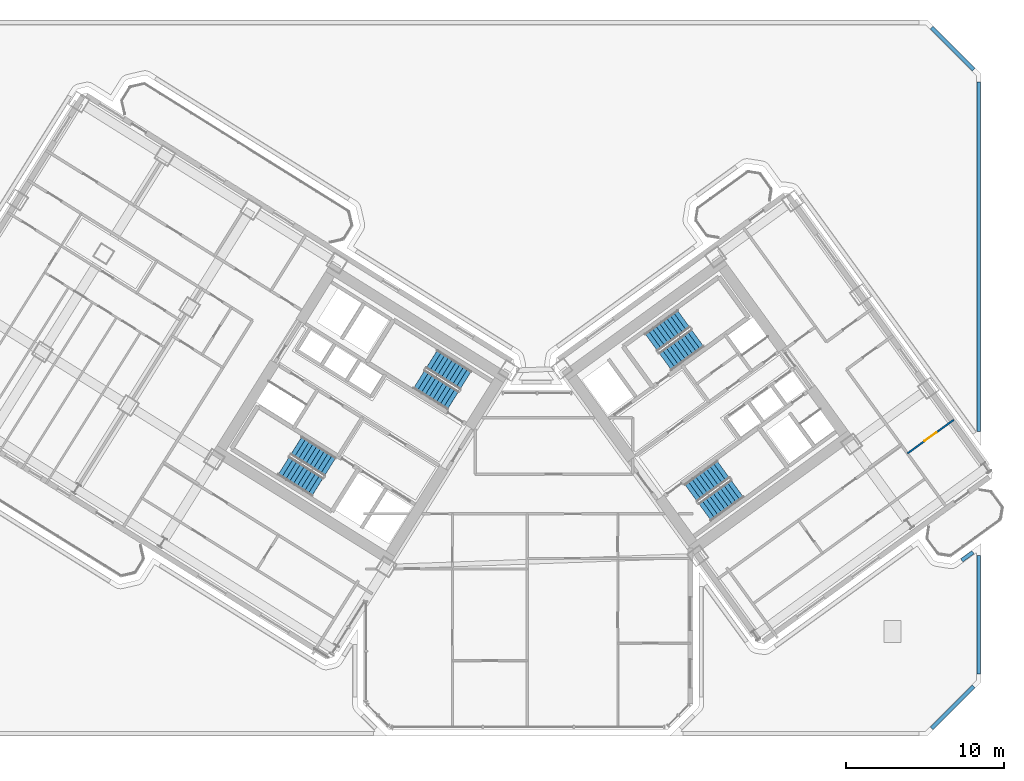
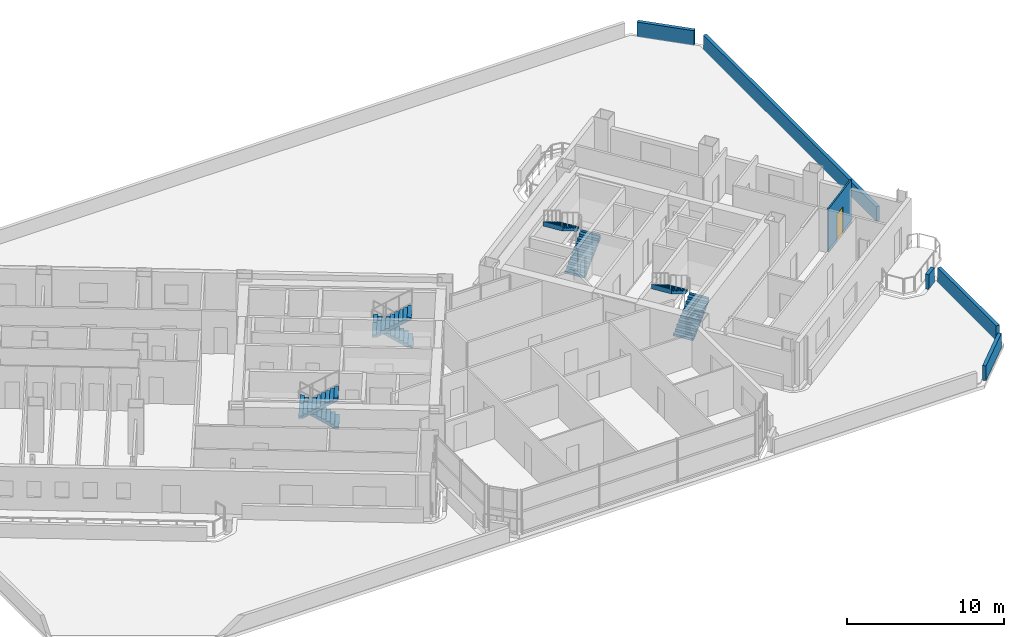
# One storey, part 21 of 28: 8 stair flights, 6 walls, 1 door, 1 opening, 4 elements without a shape of their own.
"""IFC4 building model written with IfcOpenShell, lengths in metres."""

from ifc_helpers import new_model, si_unit, direction, frame, frame_2d, origin, place, context, subcontext, project, spatial, polyline, rectangle, outline, extrude, source, transform, mapped, material, layer, layer_set, type_object, element, fill, aggregate, save


model = new_model("IFC4")

# Units and contexts
model_context = context("Model", 3, precision=1e-05, world=origin(), true_north=direction((0.0, 1.0)))
body_context = subcontext(model_context, "Body", "Model", "MODEL_VIEW")
ifc_project = project(units=[si_unit("LENGTHUNIT", "METRE"), si_unit("AREAUNIT", "SQUARE_METRE"), si_unit("VOLUMEUNIT", "CUBIC_METRE"), si_unit("PLANEANGLEUNIT", "RADIAN"), si_unit("MASSUNIT", "GRAM", prefix="KILO")], contexts=[model_context])

# Site, building, storey
site_placement = place(None, origin())
site = spatial("IfcSite", under=ifc_project, at=site_placement, CompositionType="ELEMENT")
building_placement = place(site_placement, origin())
building = spatial("IfcBuilding", under=site, at=building_placement, Name="Tlacorven Tower", CompositionType="ELEMENT")
storey_placement = place(building_placement, frame((0.0, 0.0, 24.0)))
storey = spatial("IfcBuildingStorey", under=building, at=storey_placement, Name="L05", CompositionType="ELEMENT", Elevation=24.0)

# Wall, opening, door
ifc_material_1 = material(Name="Gypsum plasterboard partition", Category="gypsum")
ifc_layer_1 = layer(ifc_material_1, 0.110107421875)
ifc_layer_set_1 = layer_set([ifc_layer_1], Name="Gypsum plasterboard partition")
wall_type_1 = type_object("IfcWallType", Name="WL-INT-110", PredefinedType="PARTITIONING", material=ifc_layer_set_1)
wall_1_placement = place(storey_placement, frame((65.9443359375, 19.237548828125, 0.0), z_axis=(0.0, 0.0, 1.0), x_axis=(0.809013833588, 0.587789602718, 0.0)))
wall_1 = element("IfcWall", 1, at=wall_1_placement, inside=storey, type_object=wall_type_1, Name="L05 partition 97", PredefinedType="PARTITIONING", context=body_context, shape_type="SweptSolid", body=[
    extrude(rectangle(XDim=3.60986328125, YDim=0.110107421875, at=frame_2d((1.804931640625, 0.0))), origin(), (0.0, 0.0, 1.0), 3.340087890625),
])
opening_placement = place(wall_1_placement, frame((1.344970703125, 0.0, 0.0)))
opening = element("IfcOpeningElement", 2, at=opening_placement, cuts=wall_1, Name="Opening D12", PredefinedType="OPENING", context=body_context, shape_type="SweptSolid", body=[
    extrude(rectangle(XDim=0.919921875, YDim=2.080078125, at=frame_2d((0.4599609375, 1.0400390625))), frame((0.0, 0.06494140625, 0.0), z_axis=(0.0, -1.0, 0.0), x_axis=(1.0, 0.0, 0.0)), (0.0, 0.0, 1.0), 0.130126953125),
])
ifc_material_2 = material(Name="Powder-coated aluminium and timber door", Category="wood")
door_type = type_object("IfcDoorType", Name="DR-INT-ROOM-0920", OperationType="NOTDEFINED", PredefinedType="DOOR", material=ifc_material_2)
shared_shape_1 = source(origin(), body_context, "Body", "SweptSolid", [
    extrude(rectangle(XDim=0.919921875, YDim=2.080078125, at=frame_2d((0.4599609375, 1.0400390625))), frame((0.0, 0.02490234375, 0.0), z_axis=(0.0, -1.0, 0.0), x_axis=(1.0, 0.0, 0.0)), (0.0, 0.0, 1.0), 0.050048828125),
])
door_placement = place(opening_placement, origin())
door = element("IfcDoor", 3, at=door_placement, inside=storey, type_object=door_type, Name="L05 door 058", OperationType="SINGLE_SWING_LEFT", OverallHeight=2.080078125, OverallWidth=0.919921875, PredefinedType="DOOR", context=body_context, shape_type="MappedRepresentation", body=[
    mapped(shared_shape_1, transform((0.0, 0.0, 0.0), scale=1.0)),
])
fill(opening, door)

# Walls
ifc_material_3 = material(Name="Precast concrete C45/55", Category="concrete")
ifc_layer_2 = layer(ifc_material_3, 0.239990234375)
ifc_layer_set_2 = layer_set([ifc_layer_2], Name="Precast concrete C45/55")
wall_type_2 = type_object("IfcWallType", Name="WL-PAR-240", PredefinedType="PARAPET", material=ifc_layer_set_2)
wall_2_placement = place(storey_placement, frame((67.463134765625, 46.124755859375, 0.0), z_axis=(0.0, 0.0, 1.0), x_axis=(0.707106781187, -0.707106781187, 0.0)))
element("IfcWall", 4, at=wall_2_placement, inside=storey, type_object=wall_type_2, Name="L05 Podium Setback Parapet 1 6", PredefinedType="PARAPET", context=body_context, shape_type="SweptSolid", body=[
    extrude(rectangle(XDim=3.76416015625, YDim=0.239990234375, at=frame_2d((1.882080078125, 0.0))), origin(), (0.0, 0.0, 1.0), 1.14990234375),
])
wall_3_placement = place(storey_placement, frame((70.449951171875, 42.677978515625, 0.0), z_axis=(0.0, 0.0, 1.0), x_axis=(0.0, -1.0, 0.0)))
element("IfcWall", 5, at=wall_3_placement, inside=storey, type_object=wall_type_2, Name="L05 Podium Setback Parapet 1 7", PredefinedType="PARAPET", context=body_context, shape_type="SweptSolid", body=[
    extrude(rectangle(XDim=22.070556640625, YDim=0.239990234375, at=frame_2d((11.03515625, 0.0))), origin(), (0.0, 0.0, 1.0), 1.14990234375),
])
wall_4_placement = place(storey_placement, frame((69.3740234375, 12.486083984375, 0.0), z_axis=(0.0, 0.0, 1.0), x_axis=(0.808966568282, 0.587854651596, 0.0)))
element("IfcWall", 6, at=wall_4_placement, inside=storey, type_object=wall_type_2, Name="L05 Podium Setback Parapet 1 24", PredefinedType="PARAPET", context=body_context, shape_type="SweptSolid", body=[
    extrude(rectangle(XDim=0.8701171875, YDim=0.239990234375, at=frame_2d((0.43505859375, 0.0))), origin(), (0.0, 0.0, 1.0), 1.14990234375),
])
wall_5_placement = place(storey_placement, frame((70.449951171875, 12.807861328125, 0.0), z_axis=(0.0, 0.0, 1.0), x_axis=(0.0, -1.0, 0.0)))
element("IfcWall", 7, at=wall_5_placement, inside=storey, type_object=wall_type_2, Name="L05 Podium Setback Parapet 1 25", PredefinedType="PARAPET", context=body_context, shape_type="SweptSolid", body=[
    extrude(rectangle(XDim=7.48583984375, YDim=0.239990234375, at=frame_2d((3.742919921875, 0.0))), origin(), (0.0, 0.0, 1.0), 1.14990234375),
])
wall_6_placement = place(storey_placement, frame((70.124755859375, 4.536865234375, 0.0), z_axis=(0.0, 0.0, 1.0), x_axis=(-0.707106781187, -0.707106781187, 0.0)))
element("IfcWall", 8, at=wall_6_placement, inside=storey, type_object=wall_type_2, Name="L05 Podium Setback Parapet 1 26", PredefinedType="PARAPET", context=body_context, shape_type="SweptSolid", body=[
    extrude(rectangle(XDim=3.76416015625, YDim=0.239990234375, at=frame_2d((1.882080078125, 0.0))), origin(), (0.0, 0.0, 1.0), 1.14990234375),
])

# Stair, stair flights
ifc_material_4 = material(Name="Concrete C40/50", Category="concrete")
stair_type = type_object("IfcStairType", Name="ST-CORE-DLG", PredefinedType="HALF_TURN_STAIR", material=ifc_material_4)
stair_1_placement = place(storey_placement, origin())
stair_1 = element("IfcStair", 9, at=stair_1_placement, inside=storey, type_object=stair_type, Name="L05 Protected Exit Stair West 1", PredefinedType="HALF_TURN_STAIR")
stair_flight_type = type_object("IfcStairFlightType", Name="SFL-RC-1380", PredefinedType="STRAIGHT", material=ifc_material_4)
shared_shape_2 = source(origin(), body_context, "Body", "SweptSolid", [
    extrude(outline(polyline([(-0.0029296875, -0.0029296875), (-0.0029296875, 0.179931640625), (0.280029296875, 0.179931640625), (0.280029296875, 0.360107421875), (0.56005859375, 0.360107421875), (0.56005859375, 0.5400390625), (0.840087890625, 0.5400390625), (0.840087890625, 0.719970703125), (1.1201171875, 0.719970703125), (1.1201171875, 0.89990234375), (1.39990234375, 0.89990234375), (1.39990234375, 1.080078125), (1.679931640625, 1.080078125), (1.679931640625, 1.260009765625), (1.9599609375, 1.260009765625), (1.9599609375, 1.43994140625), (2.239990234375, 1.43994140625), (2.239990234375, 1.6201171875), (2.52001953125, 1.6201171875), (2.52001953125, 1.800048828125), (2.52294921875, 1.800048828125), (2.52294921875, 1.429931640625), (2.52001953125, 1.429931640625), (0.295654296875, 0.0), (0.295654296875, -0.0029296875), (-0.0029296875, -0.0029296875)])), frame((0.0, 0.68994140625, 0.0), z_axis=(0.0, -1.0, 0.0), x_axis=(1.0, 0.0, 0.0)), (0.0, 0.0, 1.0), 1.3798828125),
])
stair_flight_1_placement = place(storey_placement, frame((29.499755859375, 18.39453125, 0.0), z_axis=(0.0, 0.0, 1.0), x_axis=(-0.848048096156, 0.529919264233, 0.0)))
stair_flight_1 = element("IfcStairFlight", 10, at=stair_flight_1_placement, type_object=stair_flight_type, Name="ST-W1 flight 1", NumberOfRisers=10, NumberOfTreads=9, PredefinedType="STRAIGHT", RiserHeight=0.18, TreadLength=0.28, context=body_context, shape_type="MappedRepresentation", body=[
    mapped(shared_shape_2, transform((0.0, 0.0, 0.0), scale=1.0)),
])
stair_flight_2_placement = place(storey_placement, frame((26.56787109375, 18.4580078125, 1.800048828125), z_axis=(0.0, 0.0, 1.0), x_axis=(0.848048096156, -0.529919264233, 0.0)))
stair_flight_2 = element("IfcStairFlight", 11, at=stair_flight_2_placement, type_object=stair_flight_type, Name="ST-W1 flight 2", NumberOfRisers=10, NumberOfTreads=9, PredefinedType="STRAIGHT", RiserHeight=0.18, TreadLength=0.28, context=body_context, shape_type="MappedRepresentation", body=[
    mapped(shared_shape_2, transform((0.0, 0.0, 0.0), scale=1.0)),
])
aggregate(stair_1, [stair_flight_1, stair_flight_2])

stair_2_placement = place(storey_placement, origin())
stair_2 = element("IfcStair", 12, at=stair_2_placement, inside=storey, type_object=stair_type, Name="L05 Protected Exit Stair West 2", PredefinedType="HALF_TURN_STAIR")
stair_flight_3_placement = place(storey_placement, frame((38.051513671875, 23.852294921875, 0.0), z_axis=(0.0, 0.0, 1.0), x_axis=(-0.848048096156, 0.529919264233, 0.0)))
stair_flight_3 = element("IfcStairFlight", 13, at=stair_flight_3_placement, type_object=stair_flight_type, Name="ST-W2 flight 1", NumberOfRisers=10, NumberOfTreads=9, PredefinedType="STRAIGHT", RiserHeight=0.18, TreadLength=0.28, context=body_context, shape_type="MappedRepresentation", body=[
    mapped(shared_shape_2, transform((0.0, 0.0, 0.0), scale=1.0)),
])
stair_flight_4_placement = place(storey_placement, frame((35.119384765625, 23.91552734375, 1.800048828125), z_axis=(0.0, 0.0, 1.0), x_axis=(0.848048096156, -0.529919264233, 0.0)))
stair_flight_4 = element("IfcStairFlight", 14, at=stair_flight_4_placement, type_object=stair_flight_type, Name="ST-W2 flight 2", NumberOfRisers=10, NumberOfTreads=9, PredefinedType="STRAIGHT", RiserHeight=0.18, TreadLength=0.28, context=body_context, shape_type="MappedRepresentation", body=[
    mapped(shared_shape_2, transform((0.0, 0.0, 0.0), scale=1.0)),
])
aggregate(stair_2, [stair_flight_3, stair_flight_4])

stair_3_placement = place(storey_placement, origin())
stair_3 = element("IfcStair", 15, at=stair_3_placement, inside=storey, type_object=stair_type, Name="L05 Protected Exit Stair East 1", PredefinedType="HALF_TURN_STAIR")
stair_flight_5_placement = place(storey_placement, frame((50.6533203125, 25.0400390625, 0.0), z_axis=(0.0, 0.0, 1.0), x_axis=(0.809016994375, 0.587785252292, 0.0)))
stair_flight_5 = element("IfcStairFlight", 16, at=stair_flight_5_placement, type_object=stair_flight_type, Name="ST-E1 flight 1", NumberOfRisers=10, NumberOfTreads=9, PredefinedType="STRAIGHT", RiserHeight=0.18, TreadLength=0.28, context=body_context, shape_type="MappedRepresentation", body=[
    mapped(shared_shape_2, transform((0.0, 0.0, 0.0), scale=1.0)),
])
stair_flight_6_placement = place(storey_placement, frame((51.810546875, 27.734619140625, 1.800048828125), z_axis=(0.0, 0.0, 1.0), x_axis=(-0.809016994375, -0.587785252292, 0.0)))
stair_flight_6 = element("IfcStairFlight", 17, at=stair_flight_6_placement, type_object=stair_flight_type, Name="ST-E1 flight 2", NumberOfRisers=10, NumberOfTreads=9, PredefinedType="STRAIGHT", RiserHeight=0.18, TreadLength=0.28, context=body_context, shape_type="MappedRepresentation", body=[
    mapped(shared_shape_2, transform((0.0, 0.0, 0.0), scale=1.0)),
])
aggregate(stair_3, [stair_flight_5, stair_flight_6])

stair_4_placement = place(storey_placement, origin())
stair_4 = element("IfcStair", 18, at=stair_4_placement, inside=storey, type_object=stair_type, Name="L05 Protected Exit Stair East 2", PredefinedType="HALF_TURN_STAIR")
stair_flight_7_placement = place(storey_placement, frame((53.157470703125, 15.536865234375, 0.0), z_axis=(0.0, 0.0, 1.0), x_axis=(0.809016994375, 0.587785252292, 0.0)))
stair_flight_7 = element("IfcStairFlight", 19, at=stair_flight_7_placement, type_object=stair_flight_type, Name="ST-E2 flight 1", NumberOfRisers=10, NumberOfTreads=9, PredefinedType="STRAIGHT", RiserHeight=0.18, TreadLength=0.28, context=body_context, shape_type="MappedRepresentation", body=[
    mapped(shared_shape_2, transform((0.0, 0.0, 0.0), scale=1.0)),
])
stair_flight_8_placement = place(storey_placement, frame((54.314453125, 18.231689453125, 1.800048828125), z_axis=(0.0, 0.0, 1.0), x_axis=(-0.809016994375, -0.587785252292, 0.0)))
stair_flight_8 = element("IfcStairFlight", 20, at=stair_flight_8_placement, type_object=stair_flight_type, Name="ST-E2 flight 2", NumberOfRisers=10, NumberOfTreads=9, PredefinedType="STRAIGHT", RiserHeight=0.18, TreadLength=0.28, context=body_context, shape_type="MappedRepresentation", body=[
    mapped(shared_shape_2, transform((0.0, 0.0, 0.0), scale=1.0)),
])
aggregate(stair_4, [stair_flight_7, stair_flight_8])

save(model, "model.ifc")
